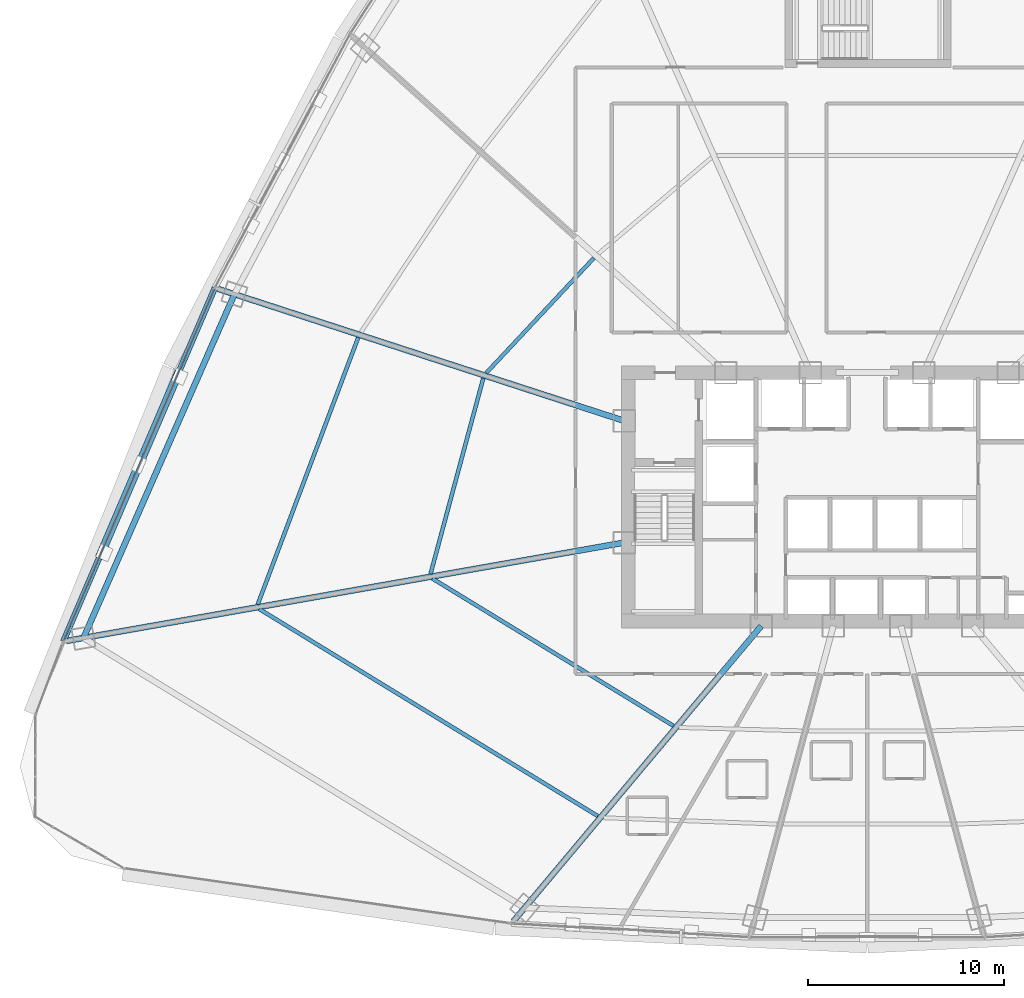
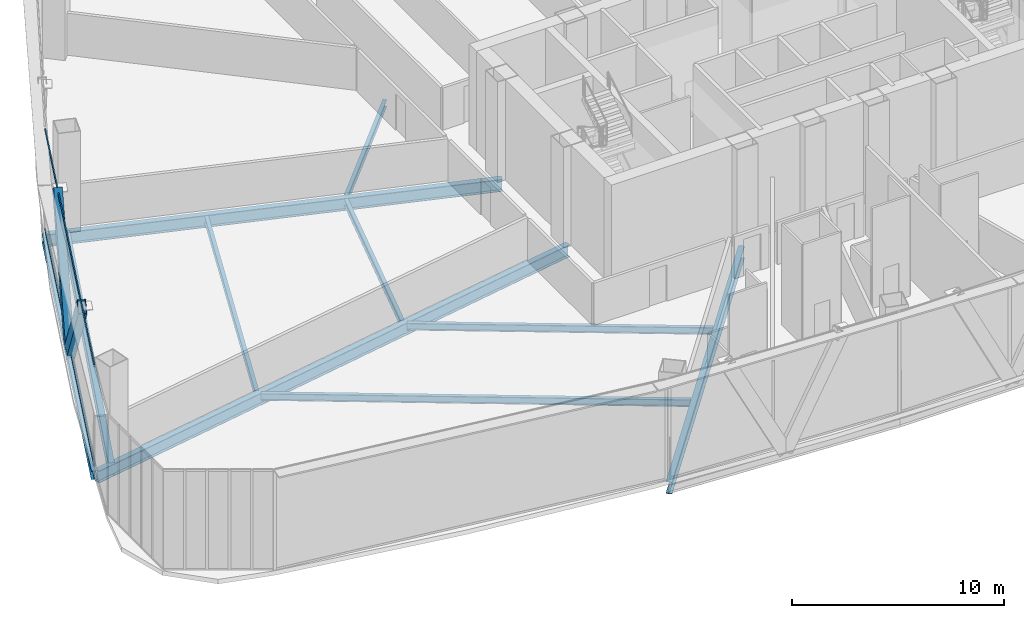
# One storey, part 7 of 41: 10 beams, 4 members, 1 element without a shape of its own.
"""IFC4 building model written with IfcOpenShell, lengths in metres."""

import ifcopenshell
import ifcopenshell.guid

model = None  # the IFC model being written
_history = None  # IfcOwnerHistory: only IFC2X3 demands one
_inside = {}  # id of a spatial element -> (the spatial element, [elements in it])
_under = {}  # id of a project, library or spatial element -> (it, [spatial elements below it])
_declared = {}  # id of a project -> (the project, [libraries it declares])
_typed = {}  # id of a type object -> (the type object, [elements of that type])
_made_of = {}  # id of a material, layer set ... -> (it, [elements and type objects made of it])


def new_model(schema):
    """Start an empty IFC model of exactly this schema.

    Asked for "IFC4X3", IfcOpenShell would pick the latest addendum, in which some entities
    have other attributes; the version numbers below select the first issue.
    IFC2X3 requires an IfcOwnerHistory on every rooted entity: one is made here for all.
    """
    global model, _history
    if schema == "IFC4X3":
        model = ifcopenshell.file(schema_version=(4, 3, 0, 0))
    else:
        model = ifcopenshell.file(schema=schema)
    _inside.clear()
    _under.clear()
    _declared.clear()
    _typed.clear()
    _made_of.clear()
    _history = None
    if model.schema == "IFC2X3":
        org = make("IfcOrganization", Name="unknown")
        user = make(
            "IfcPersonAndOrganization",
            ThePerson=make("IfcPerson", FamilyName="unknown"),
            TheOrganization=org,
        )
        app = make(
            "IfcApplication",
            ApplicationDeveloper=org,
            Version="unknown",
            ApplicationFullName="unknown",
            ApplicationIdentifier="unknown",
        )
        _history = make(
            "IfcOwnerHistory",
            OwningUser=user,
            OwningApplication=app,
            ChangeAction="ADDED",
            CreationDate=0,
        )
    return model


def make(cls, **values):
    """One entity of the class cls with the attributes given. An attribute that is None is left unset."""
    return model.create_entity(
        cls, **{name: value for name, value in values.items() if value is not None}
    )


def rooted(cls, **values):
    """An entity with a GlobalId (a new one), such as an element, a storey or a relation."""
    return make(cls, GlobalId=ifcopenshell.guid.new(), OwnerHistory=_history, **values)


def si_unit(unit_type, name, prefix=None):
    """IfcSIUnit, for example si_unit("LENGTHUNIT", "METRE", prefix="MILLI")."""
    return make("IfcSIUnit", UnitType=unit_type, Prefix=prefix, Name=name)


def assignment(units):
    """IfcUnitAssignment: the units of a project."""
    return None if units is None else make("IfcUnitAssignment", Units=units)


def point(xyz):
    """IfcCartesianPoint."""
    return None if xyz is None else make("IfcCartesianPoint", Coordinates=xyz)


def direction(xyz):
    """IfcDirection."""
    return None if xyz is None else make("IfcDirection", DirectionRatios=xyz)


def frame(location, z_axis=None, x_axis=None):
    """IfcAxis2Placement3D, a coordinate frame: its origin and axes. An axis left out is left unset."""
    return make(
        "IfcAxis2Placement3D",
        Location=point(location),
        Axis=direction(z_axis),
        RefDirection=direction(x_axis),
    )


def frame_2d(location, x_axis=None):
    """IfcAxis2Placement2D, a coordinate frame in the plane: its origin and x axis."""
    return make(
        "IfcAxis2Placement2D", Location=point(location), RefDirection=direction(x_axis)
    )


def origin():
    """The frame at (0, 0, 0) with its axes left unset."""
    return frame((0.0, 0.0, 0.0))


def origin_2d():
    """The frame at (0, 0) in the plane with its x axis left unset."""
    return frame_2d((0.0, 0.0))


def place(relative_to, where):
    """IfcLocalPlacement: puts the frame where relative to a parent placement (None: the world)."""
    return make(
        "IfcLocalPlacement", PlacementRelTo=relative_to, RelativePlacement=where
    )


def context(
    kind, dimensions, precision=None, world=None, true_north=None, identifier=None
):
    """IfcGeometricRepresentationContext, for example the 3D "Model" context."""
    return make(
        "IfcGeometricRepresentationContext",
        ContextIdentifier=identifier,
        ContextType=kind,
        CoordinateSpaceDimension=dimensions,
        Precision=precision,
        WorldCoordinateSystem=world,
        TrueNorth=true_north,
    )


def subcontext(parent, identifier, kind, view, scale=None):
    """IfcGeometricRepresentationSubContext, for example "Body" below "Model"."""
    return make(
        "IfcGeometricRepresentationSubContext",
        ContextIdentifier=identifier,
        ContextType=kind,
        ParentContext=parent,
        TargetScale=scale,
        TargetView=view,
    )


def project(units=None, contexts=None):
    """IfcProject with its units and contexts."""
    return rooted(
        "IfcProject",
        Name="project",
        RepresentationContexts=contexts,
        UnitsInContext=assignment(units),
    )


def spatial(cls, under=None, at=None, **own):
    """A site, building, storey or space (cls), placed at a placement, below another one or the project."""
    s = rooted(cls, ObjectPlacement=at, **own)
    if under is not None:
        _under.setdefault(under.id(), (under, []))[1].append(s)
    return s


def profile(cls, at=None, kind="AREA", **sizes):
    """A parametric profile (cls). Its sizes go by their IFC names, for example OverallWidth=200.0."""
    return make(cls, ProfileType=kind, Position=at, **sizes)


def hollow_rectangle(**sizes):
    """IfcRectangleHollowProfileDef."""
    return profile("IfcRectangleHollowProfileDef", **sizes)


def i_section(**sizes):
    """IfcIShapeProfileDef."""
    return profile("IfcIShapeProfileDef", **sizes)


def extrude(swept, where, along, depth):
    """IfcExtrudedAreaSolid: the profile swept, set in the frame where, extruded along a direction by depth."""
    return make(
        "IfcExtrudedAreaSolid",
        SweptArea=swept,
        Position=where,
        ExtrudedDirection=direction(along),
        Depth=depth,
    )


def shape(context_of_items, identifier, shape_type, items):
    """IfcShapeRepresentation: the items that make up one representation, for example the "Body"."""
    return make(
        "IfcShapeRepresentation",
        ContextOfItems=context_of_items,
        RepresentationIdentifier=identifier,
        RepresentationType=shape_type,
        Items=items,
    )


def source(mapping_origin, context_of_items, identifier, shape_type, items):
    """IfcRepresentationMap: a shape defined once, which mapped items show again and again."""
    return make(
        "IfcRepresentationMap",
        MappingOrigin=mapping_origin,
        MappedRepresentation=shape(context_of_items, identifier, shape_type, items),
    )


def transform(
    local_origin,
    x_axis=None,
    y_axis=None,
    z_axis=None,
    scale=None,
    scale2=None,
    scale3=None,
    uniform=True,
):
    """IfcCartesianTransformationOperator3D, or its non-uniform kind. x_axis, y_axis, z_axis: its Axis1, 2, 3."""
    if uniform:
        return make(
            "IfcCartesianTransformationOperator3D",
            Axis1=direction(x_axis),
            Axis2=direction(y_axis),
            LocalOrigin=point(local_origin),
            Scale=scale,
            Axis3=direction(z_axis),
        )
    return make(
        "IfcCartesianTransformationOperator3DnonUniform",
        Axis1=direction(x_axis),
        Axis2=direction(y_axis),
        LocalOrigin=point(local_origin),
        Scale=scale,
        Axis3=direction(z_axis),
        Scale2=scale2,
        Scale3=scale3,
    )


def mapped(mapping_source, mapping_target):
    """IfcMappedItem: shows the shape of a source again, moved by a transform."""
    return make(
        "IfcMappedItem", MappingSource=mapping_source, MappingTarget=mapping_target
    )


def material(Name=None, Category=None):
    """IfcMaterial."""
    return make("IfcMaterial", Name=Name, Category=Category)


def layer(
    of_material, thickness, ventilated=None, Name=None, Category=None, Priority=None
):
    """IfcMaterialLayer: one layer of a wall or slab, of a material (None: an air gap)."""
    return make(
        "IfcMaterialLayer",
        Material=of_material,
        LayerThickness=thickness,
        IsVentilated=ventilated,
        Name=Name,
        Category=Category,
        Priority=Priority,
    )


def layer_set(layers, Name=None):
    """IfcMaterialLayerSet."""
    return make("IfcMaterialLayerSet", MaterialLayers=layers, LayerSetName=Name)


def material_profile(
    of_material, cross_section, Name=None, Category=None, Priority=None
):
    """IfcMaterialProfile: a cross section and its material."""
    return make(
        "IfcMaterialProfile",
        Name=Name,
        Material=of_material,
        Profile=cross_section,
        Priority=Priority,
        Category=Category,
    )


def profile_set(profiles, Name=None, composite=None):
    """IfcMaterialProfileSet."""
    return make(
        "IfcMaterialProfileSet",
        Name=Name,
        MaterialProfiles=profiles,
        CompositeProfile=composite,
    )


def made_of(thing, what):
    """Note that an element or type object is made of a material, layer set ...; save() writes the relation."""
    if what is not None:
        _made_of.setdefault(what.id(), (what, []))[1].append(thing)
    return thing


def type_object(cls, material=None, **own):
    """A type object (cls), such as IfcWallType, which elements share."""
    return made_of(rooted(cls, **own), material)


def element(
    cls,
    number,
    at=None,
    inside=None,
    cuts=None,
    type_object=None,
    material=None,
    context=None,
    identifier="Body",
    shape_type=None,
    held_by="IfcProductDefinitionShape",
    body=None,
    shapes=None,
    **own,
):
    """One element of the class cls, such as IfcWall. Its Tag is "e" and its number.

    at: its placement. inside: the storey or other place that contains it. cuts: it is an
    opening in that element (IfcRelVoidsElement). A single representation is given by context,
    identifier, shape_type and body (its items); several are given by shapes. held_by: the class
    of the entity that holds the representations. save() writes the other relations.
    """
    e = rooted(cls, Tag="e%d" % number, ObjectPlacement=at, **own)
    if body is not None:
        shapes = [shape(context, identifier, shape_type, body)]
    if shapes is not None:
        e.Representation = make(held_by, Representations=shapes)
    if inside is not None:
        _inside.setdefault(inside.id(), (inside, []))[1].append(e)
    if cuts is not None:
        rooted(
            "IfcRelVoidsElement", RelatingBuildingElement=cuts, RelatedOpeningElement=e
        )
    if type_object is not None:
        _typed.setdefault(type_object.id(), (type_object, []))[1].append(e)
    return made_of(e, material)


def aggregate(whole, parts):
    """IfcRelAggregates: a whole, such as a stair, and the parts it consists of."""
    return rooted("IfcRelAggregates", RelatingObject=whole, RelatedObjects=parts)


def save(model, path):
    """Write the relations noted so far, then the file.

    IfcRelAggregates (storeys below a building ...), IfcRelContainedInSpatialStructure (elements
    in a storey), IfcRelDefinesByType, IfcRelAssociatesMaterial and IfcRelDeclares: one each for
    every whole, place, type object, material and project.
    """
    for whole, parts in _under.values():
        aggregate(whole, parts)
    for where, things in _inside.values():
        rooted(
            "IfcRelContainedInSpatialStructure",
            RelatedElements=things,
            RelatingStructure=where,
        )
    for kind, things in _typed.values():
        rooted("IfcRelDefinesByType", RelatedObjects=things, RelatingType=kind)
    for what, things in _made_of.values():
        rooted("IfcRelAssociatesMaterial", RelatedObjects=things, RelatingMaterial=what)
    for by, libraries in _declared.values():
        rooted("IfcRelDeclares", RelatingContext=by, RelatedDefinitions=libraries)
    model.write(path)


model = new_model("IFC4")

# Units and contexts
model_context = context("Model", 3, precision=1e-05, world=origin(), true_north=direction((0.0, 1.0)))
body_context = subcontext(model_context, "Body", "Model", "MODEL_VIEW")
ifc_project = project(units=[si_unit("LENGTHUNIT", "METRE"), si_unit("AREAUNIT", "SQUARE_METRE"), si_unit("VOLUMEUNIT", "CUBIC_METRE"), si_unit("PLANEANGLEUNIT", "RADIAN"), si_unit("MASSUNIT", "GRAM", prefix="KILO"), si_unit("THERMODYNAMICTEMPERATUREUNIT", "KELVIN"), si_unit("POWERUNIT", "WATT")], contexts=[model_context])

# Site, building, storey
site_placement = place(None, origin())
site = spatial("IfcSite", under=ifc_project, at=site_placement, CompositionType="ELEMENT")
building_placement = place(site_placement, origin())
building = spatial("IfcBuilding", under=site, at=building_placement, Name="Yunzhuo Pagoda Commons", CompositionType="ELEMENT")
storey_placement = place(building_placement, frame((0.0, 0.0, 70.330078125)))
storey = spatial("IfcBuildingStorey", under=building, at=storey_placement, Name="L18", CompositionType="ELEMENT", Elevation=70.330078125)

# Beams
ifc_material_1 = material(Name="Structural steel Q355B", Category="steel")
ifc_material_profile_1 = material_profile(ifc_material_1, i_section(OverallWidth=0.300048828125, OverallDepth=0.699951171875, WebThickness=0.012939453125, FlangeThickness=0.02392578125, at=origin_2d()), Name="Structural steel Q355B")
ifc_profile_set_1 = profile_set([ifc_material_profile_1], Name="Structural steel Q355B")
beam_type_1 = type_object("IfcBeamType", Name="B-RG1 Beam HN 700x300x13x24", PredefinedType="BEAM", material=ifc_profile_set_1)
shared_shape_1 = source(origin(), body_context, "Body", "SweptSolid", [
    extrude(i_section(OverallWidth=0.300048828125, OverallDepth=0.699951171875, WebThickness=0.012939453125, FlangeThickness=0.02392578125, at=origin_2d()), origin(), (0.0, 0.0, 1.0), 19.18603515625),
])
beam_1_placement = place(storey_placement, frame((15.66455078125, 44.206298828125, -0.610107421875), z_axis=(-0.40196534204, -0.915654882474, 0.0), x_axis=(0.915654882474, -0.40196534204, 0.0)))
element("IfcBeam", 1, at=beam_1_placement, inside=storey, type_object=beam_type_1, Name="L18 column-ring beam 11", PredefinedType="BEAM", context=body_context, shape_type="MappedRepresentation", body=[
    mapped(shared_shape_1, transform((0.0, 0.0, 0.0), scale=1.0)),
])
ifc_material_profile_2 = material_profile(ifc_material_1, i_section(OverallWidth=0.199951171875, OverallDepth=0.39990234375, WebThickness=0.008056640625, FlangeThickness=0.012939453125, at=origin_2d()), Name="Structural steel Q355B")
ifc_profile_set_2 = profile_set([ifc_material_profile_2], Name="Structural steel Q355B")
beam_type_2 = type_object("IfcBeamType", Name="B-JS1 Joist HN 400x200x8x13", PredefinedType="JOIST", material=ifc_profile_set_2)
shared_shape_2 = source(origin(), body_context, "Body", "SweptSolid", [
    extrude(i_section(OverallWidth=0.199951171875, OverallDepth=0.39990234375, WebThickness=0.008056640625, FlangeThickness=0.012939453125, at=origin_2d()), origin(), (0.0, 0.0, 1.0), 14.4365234375),
])
beam_2_placement = place(storey_placement, frame((25.782470703125, 29.675537109375, -0.4599609375), z_axis=(0.85325633277, -0.521491735876, 0.0), x_axis=(0.521491735876, 0.85325633277, 0.0)))
element("IfcBeam", 2, at=beam_2_placement, inside=storey, type_object=beam_type_2, Name="L18 composite ring joist 1.12", PredefinedType="JOIST", context=body_context, shape_type="MappedRepresentation", body=[
    mapped(shared_shape_2, transform((0.0, 0.0, 0.0), scale=1.0)),
])
shared_shape_3 = source(origin(), body_context, "Body", "SweptSolid", [
    extrude(i_section(OverallWidth=0.199951171875, OverallDepth=0.39990234375, WebThickness=0.008056640625, FlangeThickness=0.012939453125, at=origin_2d()), origin(), (0.0, 0.0, 1.0), 20.275634765625),
])
beam_3_placement = place(storey_placement, frame((16.935302734375, 28.11572265625, -0.4599609375), z_axis=(0.853102898066, -0.521742700295, 0.0), x_axis=(0.521742700295, 0.853102898066, 0.0)))
element("IfcBeam", 3, at=beam_3_placement, inside=storey, type_object=beam_type_2, Name="L18 composite ring joist 2.12", PredefinedType="JOIST", context=body_context, shape_type="MappedRepresentation", body=[
    mapped(shared_shape_3, transform((0.0, 0.0, 0.0), scale=1.0)),
])
shared_shape_4 = source(origin(), body_context, "Body", "SweptSolid", [
    extrude(i_section(OverallWidth=0.199951171875, OverallDepth=0.39990234375, WebThickness=0.008056640625, FlangeThickness=0.012939453125, at=origin_2d()), origin(), (0.0, 0.0, 1.0), 10.351806640625),
])
beam_4_placement = place(storey_placement, frame((28.3818359375, 39.9072265625, -0.4599609375), z_axis=(-0.260208595802, -0.965552425646, 0.0), x_axis=(0.965552425646, -0.260208595802, 0.0)))
element("IfcBeam", 4, at=beam_4_placement, inside=storey, type_object=beam_type_2, Name="L18 composite ring joist 1.11", PredefinedType="JOIST", context=body_context, shape_type="MappedRepresentation", body=[
    mapped(shared_shape_4, transform((0.0, 0.0, 0.0), scale=1.0)),
])
shared_shape_5 = source(origin(), body_context, "Body", "SweptSolid", [
    extrude(i_section(OverallWidth=0.199951171875, OverallDepth=0.39990234375, WebThickness=0.008056640625, FlangeThickness=0.012939453125, at=origin_2d()), origin(), (0.0, 0.0, 1.0), 14.571044921875),
])
beam_5_placement = place(storey_placement, frame((21.98779296875, 41.98486328125, -0.4599609375), z_axis=(-0.352208383632, -0.935921607027, 0.0), x_axis=(0.935921607027, -0.352208383632, 0.0)))
element("IfcBeam", 5, at=beam_5_placement, inside=storey, type_object=beam_type_2, Name="L18 composite ring joist 2.11", PredefinedType="JOIST", context=body_context, shape_type="MappedRepresentation", body=[
    mapped(shared_shape_5, transform((0.0, 0.0, 0.0), scale=1.0)),
])
shared_shape_6 = source(origin(), body_context, "Body", "SweptSolid", [
    extrude(i_section(OverallWidth=0.199951171875, OverallDepth=0.39990234375, WebThickness=0.008056640625, FlangeThickness=0.012939453125, at=origin_2d()), origin(), (0.0, 0.0, 1.0), 8.055908203125),
])
beam_6_placement = place(storey_placement, frame((34.03759765625, 46.057861328125, -0.4599609375), z_axis=(-0.683432879027, -0.730013355949, 0.0), x_axis=(0.730013355949, -0.683432879027, 0.0)))
element("IfcBeam", 6, at=beam_6_placement, inside=storey, type_object=beam_type_2, Name="L18 composite ring joist 1.10", PredefinedType="JOIST", context=body_context, shape_type="MappedRepresentation", body=[
    mapped(shared_shape_6, transform((0.0, 0.0, 0.0), scale=1.0)),
])
shared_shape_7 = source(origin(), body_context, "Body", "SweptSolid", [
    extrude(i_section(OverallWidth=0.300048828125, OverallDepth=0.699951171875, WebThickness=0.012939453125, FlangeThickness=0.02392578125, at=origin_2d()), origin(), (0.0, 0.0, 1.0), 19.7001953125),
])
beam_7_placement = place(storey_placement, frame((29.9248046875, 12.15869140625, -0.610107421875), z_axis=(0.642786848986, 0.766045081422, 0.0), x_axis=(-0.766045081422, 0.642786848986, 0.0)))
element("IfcBeam", 7, at=beam_7_placement, inside=storey, type_object=beam_type_1, Name="L18 radial floor girder F1C1", PredefinedType="BEAM", context=body_context, shape_type="MappedRepresentation", body=[
    mapped(shared_shape_7, transform((0.0, 0.0, 0.0), scale=1.0)),
])
shared_shape_8 = source(origin(), body_context, "Body", "SweptSolid", [
    extrude(i_section(OverallWidth=0.300048828125, OverallDepth=0.699951171875, WebThickness=0.012939453125, FlangeThickness=0.02392578125, at=origin_2d()), origin(), (0.0, 0.0, 1.0), 28.96923828125),
])
beam_8_placement = place(storey_placement, frame((7.071044921875, 26.483154296875, -0.610107421875), z_axis=(0.984808746464, 0.173642543427, 0.0), x_axis=(-0.173642543427, 0.984808746464, 0.0)))
element("IfcBeam", 8, at=beam_8_placement, inside=storey, type_object=beam_type_1, Name="L18 radial floor girder F3C4", PredefinedType="BEAM", context=body_context, shape_type="MappedRepresentation", body=[
    mapped(shared_shape_8, transform((0.0, 0.0, 0.0), scale=1.0)),
])
shared_shape_9 = source(origin(), body_context, "Body", "SweptSolid", [
    extrude(i_section(OverallWidth=0.300048828125, OverallDepth=0.699951171875, WebThickness=0.012939453125, FlangeThickness=0.02392578125, at=origin_2d()), origin(), (0.0, 0.0, 1.0), 21.8564453125),
])
beam_9_placement = place(storey_placement, frame((14.813232421875, 44.48291015625, -0.610107421875), z_axis=(0.951058609715, -0.309010551415, 0.0), x_axis=(0.309010551415, 0.951058609715, 0.0)))
element("IfcBeam", 9, at=beam_9_placement, inside=storey, type_object=beam_type_1, Name="L18 radial floor girder F3C3", PredefinedType="BEAM", context=body_context, shape_type="MappedRepresentation", body=[
    mapped(shared_shape_9, transform((0.0, 0.0, 0.0), scale=1.0)),
])
ifc_material_profile_3 = material_profile(ifc_material_1, i_section(OverallWidth=0.300048828125, OverallDepth=0.488037109375, WebThickness=0.010986328125, FlangeThickness=0.01806640625, at=origin_2d()), Name="Structural steel Q355B")
ifc_profile_set_3 = profile_set([ifc_material_profile_3], Name="Structural steel Q355B")
beam_type_3 = type_object("IfcBeamType", Name="B-SP1 Beam HM 488x300x11x18", PredefinedType="BEAM", material=ifc_profile_set_3)
shared_shape_10 = source(origin(), body_context, "Body", "SweptSolid", [
    extrude(i_section(OverallWidth=0.300048828125, OverallDepth=0.488037109375, WebThickness=0.010986328125, FlangeThickness=0.01806640625, at=origin_2d()), origin(), (0.0, 0.0, 1.0), 19.665283203125),
])
beam_10_placement = place(storey_placement, frame((14.666015625, 44.531005859375, -0.504150390625), z_axis=(-0.39398372615, -0.919117415529, 0.0), x_axis=(0.919117415529, -0.39398372615, 0.0)))
element("IfcBeam", 10, at=beam_10_placement, inside=storey, type_object=beam_type_3, Name="L18 facade edge spandrel beam F3.3", PredefinedType="BEAM", context=body_context, shape_type="MappedRepresentation", body=[
    mapped(shared_shape_10, transform((0.0, 0.0, 0.0), scale=1.0)),
])

# Members
ifc_material_2 = material(Name="Structural steel Q420B", Category="steel")
ifc_material_profile_4 = material_profile(ifc_material_2, hollow_rectangle(XDim=0.419921875, YDim=0.719970703125, WallThickness=0.028076171875, at=origin_2d()), Name="Structural steel Q420B")
ifc_profile_set_4 = profile_set([ifc_material_profile_4], Name="Structural steel Q420B")
member_type_1 = type_object("IfcMemberType", Name="M-DL1 Brace BOX 720x420x28", PredefinedType="BRACE", material=ifc_profile_set_4)
shared_shape_11 = source(origin(), body_context, "Body", "SweptSolid", [
    extrude(hollow_rectangle(XDim=0.419921875, YDim=0.719970703125, WallThickness=0.028076171875, at=origin_2d()), origin(), (0.0, 0.0, 1.0), 7.780029296875),
])
member_1_placement = place(storey_placement, frame((10.7919921875, 35.493408203125, -0.260009765625), z_axis=(-0.248943797232, -0.580764257578, 0.775074101579), x_axis=(0.919119340132, -0.393979236249, 0.0)))
element("IfcMember", 11, at=member_1_placement, inside=storey, type_object=member_type_1, Name="L18 facade diamond brace F3.3R", PredefinedType="BRACE", context=body_context, shape_type="MappedRepresentation", body=[
    mapped(shared_shape_11, transform((0.0, 0.0, 0.0), scale=1.0)),
])
shared_shape_12 = source(origin(), body_context, "Body", "SweptSolid", [
    extrude(hollow_rectangle(XDim=0.419921875, YDim=0.719970703125, WallThickness=0.028076171875, at=origin_2d()), origin(), (0.0, 0.0, 1.0), 7.7802734375),
])
member_2_placement = place(storey_placement, frame((10.7919921875, 35.493408203125, -0.260009765625), z_axis=(0.248964158066, 0.580801311022, 0.775039795826), x_axis=(-0.919116774061, 0.393985222616, 0.0)))
element("IfcMember", 12, at=member_2_placement, inside=storey, type_object=member_type_1, Name="L18 facade diamond brace F3.3L", PredefinedType="BRACE", context=body_context, shape_type="MappedRepresentation", body=[
    mapped(shared_shape_12, transform((0.0, 0.0, 0.0), scale=1.0)),
])

# Curtain wall, members
ifc_material_3 = material(Name="Anodized aluminium 6063-T6", Category="aluminium")
ifc_layer = layer(ifc_material_3, 0.1650390625)
ifc_layer_set = layer_set([ifc_layer], Name="Anodized aluminium 6063-T6")
curtain_wall_type = type_object("IfcCurtainWallType", Name="CW-LOW Low-Zone Ribbon Curtain Wall", PredefinedType="NOTDEFINED", material=ifc_layer_set)
curtain_wall_placement = place(storey_placement, origin())
curtain_wall = element("IfcCurtainWall", 13, at=curtain_wall_placement, inside=storey, type_object=curtain_wall_type, Name="L18 curtain wall CW-L18-F3B4", PredefinedType="NOTDEFINED")
ifc_material_profile_5 = material_profile(ifc_material_3, hollow_rectangle(XDim=0.06005859375, YDim=0.139892578125, WallThickness=0.00341796875, at=origin_2d()), Name="Anodized aluminium 6063-T6")
ifc_profile_set_5 = profile_set([ifc_material_profile_5], Name="Anodized aluminium 6063-T6")
member_type_2 = type_object("IfcMemberType", Name="CW-LOW-T Transom RHS 140x60x3.5", PredefinedType="USERDEFINED", material=ifc_profile_set_5)
shared_shape_13 = source(origin(), body_context, "Body", "SweptSolid", [
    extrude(hollow_rectangle(XDim=0.06005859375, YDim=0.139892578125, WallThickness=0.00341796875, at=origin_2d()), origin(), (0.0, 0.0, 1.0), 19.535400390625),
])
member_3_placement = place(storey_placement, frame((14.640380859375, 44.47119140625, 0.030029296875), z_axis=(-0.393979629868, -0.919119171408, 0.0), x_axis=(0.919119171408, -0.393979629868, 0.0)))
member_3 = element("IfcMember", 14, at=member_3_placement, type_object=member_type_2, Name="CW transom 1.1", ObjectType="TRANSOM", PredefinedType="USERDEFINED", context=body_context, shape_type="MappedRepresentation", body=[
    mapped(shared_shape_13, transform((0.0, 0.0, 0.0), scale=1.0)),
])
member_4_placement = place(storey_placement, frame((14.640380859375, 44.47119140625, 5.739990234375), z_axis=(-0.393979629868, -0.919119171408, 0.0), x_axis=(0.919119171408, -0.393979629868, 0.0)))
member_4 = element("IfcMember", 15, at=member_4_placement, type_object=member_type_2, Name="CW transom 1.2", ObjectType="TRANSOM", PredefinedType="USERDEFINED", context=body_context, shape_type="MappedRepresentation", body=[
    mapped(shared_shape_13, transform((0.0, 0.0, 0.0), scale=1.0)),
])
aggregate(curtain_wall, [member_3, member_4])

save(model, "model.ifc")
